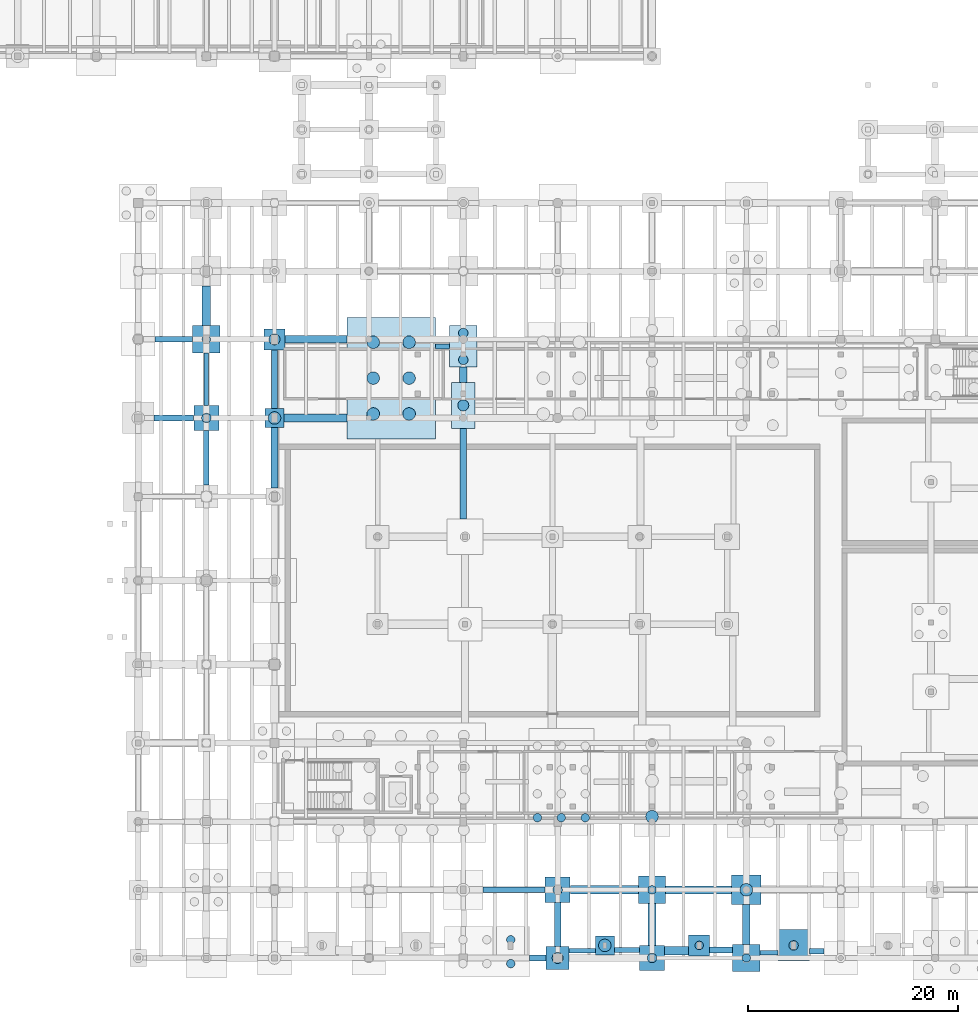
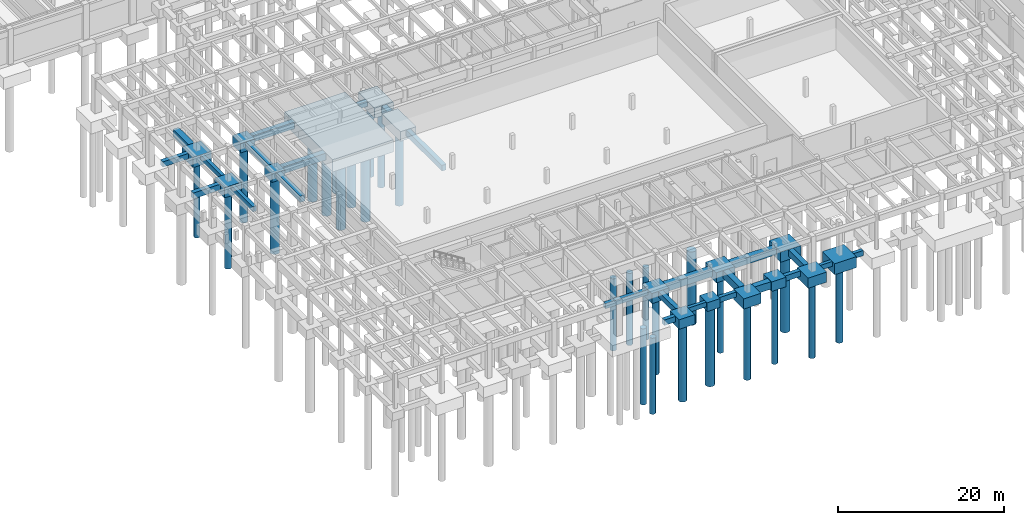
# One storey, part 3 of 36: 41 footings, 28 piles.
"""IFC4 building model written with IfcOpenShell, lengths in metres."""

from ifc_helpers import new_model, si_unit, direction, frame, origin, origin_2d, place, context, subcontext, project, spatial, polyline, circle, outline, extrude, material, material_profile, profile_set, type_object, element, save


model = new_model("IFC4")

# Units and contexts
model_context = context("Model", 3, precision=1e-05, world=origin(), true_north=direction((0.0, 1.0)))
body_context = subcontext(model_context, "Body", "Model", "MODEL_VIEW")
ifc_project = project(units=[si_unit("LENGTHUNIT", "METRE"), si_unit("AREAUNIT", "SQUARE_METRE"), si_unit("VOLUMEUNIT", "CUBIC_METRE"), si_unit("PLANEANGLEUNIT", "RADIAN"), si_unit("MASSUNIT", "GRAM", prefix="KILO"), si_unit("THERMODYNAMICTEMPERATUREUNIT", "KELVIN"), si_unit("POWERUNIT", "WATT")], contexts=[model_context])

# Site, building, storey
site_placement = place(None, origin())
site = spatial("IfcSite", under=ifc_project, at=site_placement, CompositionType="ELEMENT")
building_placement = place(site_placement, origin())
building = spatial("IfcBuilding", under=site, at=building_placement, Name="Tepalcoro Natatorium and Aquatics Centre", CompositionType="ELEMENT")
storey_placement = place(building_placement, frame((0.0, 0.0, -5.199951171875)))
storey = spatial("IfcBuildingStorey", under=building, at=storey_placement, Name="B1", CompositionType="ELEMENT", Elevation=-5.199951171875)

# Footings
ifc_material = material(Name="Concrete C40/50 (fc 40 MPa)", Category="concrete")
footing_type_1 = type_object("IfcFootingType", Name="FB_450x700", PredefinedType="FOOTING_BEAM", material=ifc_material)
footing_1_placement = place(storey_placement, frame((0.0, 0.0, -0.699951171875)))
element("IfcFooting", 1, at=footing_1_placement, inside=storey, type_object=footing_type_1, Name="V1 B1 Foundation Tie Beam X", PredefinedType="FOOTING_BEAM", context=body_context, shape_type="SweptSolid", body=[
    extrude(outline(polyline([(81.10498046875, 0.47509765625), (83.594970703125, 0.47509765625), (83.594970703125, 0.925048828125), (81.10498046875, 0.925048828125), (81.10498046875, 0.47509765625)])), origin(), (0.0, 0.0, 1.0), 0.699951171875),
])
footing_2_placement = place(storey_placement, frame((0.0, 0.0, -0.699951171875)))
element("IfcFooting", 2, at=footing_2_placement, inside=storey, type_object=footing_type_1, Name="V1 B1 Foundation Tie Beam X", PredefinedType="FOOTING_BEAM", context=body_context, shape_type="SweptSolid", body=[
    extrude(outline(polyline([(99.304931640625, 0.27490234375), (100.9951171875, 0.27490234375), (100.9951171875, 0.72509765625), (99.304931640625, 0.72509765625), (99.304931640625, 0.27490234375)])), origin(), (0.0, 0.0, 1.0), 0.699951171875),
])
footing_3_placement = place(storey_placement, frame((0.0, 0.0, -0.699951171875)))
element("IfcFooting", 3, at=footing_3_placement, inside=storey, type_object=footing_type_1, Name="V1 B1 Foundation Tie Beam Y", PredefinedType="FOOTING_BEAM", context=body_context, shape_type="SweptSolid", body=[
    extrude(outline(polyline([(46.72509765625, 52.705078125), (46.72509765625, 57.695068359375), (46.27490234375, 57.695068359375), (46.27490234375, 52.705078125), (46.72509765625, 52.705078125)])), origin(), (0.0, 0.0, 1.0), 0.699951171875),
])
footing_type_2 = type_object("IfcFootingType", Name="FB_500x750", PredefinedType="FOOTING_BEAM", material=ifc_material)
footing_4_placement = place(storey_placement, frame((0.0, 0.0, -1.25)))
element("IfcFooting", 4, at=footing_4_placement, inside=storey, type_object=footing_type_2, Name="V1 B1 Foundation Tie Beam X", PredefinedType="FOOTING_BEAM", context=body_context, shape_type="SweptSolid", body=[
    extrude(outline(polyline([(68.35498046875, 58.074951171875), (69.695068359375, 58.074951171875), (69.695068359375, 58.574951171875), (68.35498046875, 58.574951171875), (68.35498046875, 58.074951171875)])), origin(), (0.0, 0.0, 1.0), 0.75),
])
footing_5_placement = place(storey_placement, frame((0.0, 0.0, -0.75)))
element("IfcFooting", 5, at=footing_5_placement, inside=storey, type_object=footing_type_2, Name="V1 B1 Foundation Tie Beam X", PredefinedType="FOOTING_BEAM", context=body_context, shape_type="SweptSolid", body=[
    extrude(outline(polyline([(72.905029296875, 6.25), (78.794921875, 6.25), (78.794921875, 6.75), (72.905029296875, 6.75), (72.905029296875, 6.25)])), origin(), (0.0, 0.0, 1.0), 0.75),
])
footing_6_placement = place(storey_placement, frame((0.0, 0.0, -0.75)))
element("IfcFooting", 6, at=footing_6_placement, inside=storey, type_object=footing_type_2, Name="V1 B1 Foundation Tie Beam X", PredefinedType="FOOTING_BEAM", context=body_context, shape_type="SweptSolid", body=[
    extrude(outline(polyline([(85.405029296875, 0.5), (87.794921875, 0.5), (87.794921875, 1.0), (85.405029296875, 1.0), (85.405029296875, 0.5)])), origin(), (0.0, 0.0, 1.0), 0.75),
])
footing_7_placement = place(storey_placement, frame((0.0, 0.0, -0.75)))
element("IfcFooting", 7, at=footing_7_placement, inside=storey, type_object=footing_type_2, Name="V1 B1 Foundation Tie Beam X", PredefinedType="FOOTING_BEAM", context=body_context, shape_type="SweptSolid", body=[
    extrude(outline(polyline([(104.0048828125, 0.39990234375), (105.39501953125, 0.39990234375), (105.39501953125, 0.89990234375), (104.0048828125, 0.89990234375), (104.0048828125, 0.39990234375)])), origin(), (0.0, 0.0, 1.0), 0.75),
])
footing_8_placement = place(storey_placement, frame((0.0, 0.0, -0.75)))
element("IfcFooting", 8, at=footing_8_placement, inside=storey, type_object=footing_type_2, Name="V1 B1 Foundation Tie Beam Y", PredefinedType="FOOTING_BEAM", context=body_context, shape_type="SweptSolid", body=[
    extrude(outline(polyline([(46.75, 45.10498046875), (46.75, 50.294921875), (46.25, 50.294921875), (46.25, 45.10498046875), (46.75, 45.10498046875)])), origin(), (0.0, 0.0, 1.0), 0.75),
])
footing_type_3 = type_object("IfcFootingType", Name="FB_550x800", PredefinedType="FOOTING_BEAM", material=ifc_material)
footing_9_placement = place(storey_placement, frame((0.0, 0.0, -0.800048828125)))
element("IfcFooting", 9, at=footing_9_placement, inside=storey, type_object=footing_type_3, Name="V1 B1 Foundation Tie Beam X", PredefinedType="FOOTING_BEAM", context=body_context, shape_type="SweptSolid", body=[
    extrude(outline(polyline([(41.60498046875, 58.72509765625), (45.195068359375, 58.72509765625), (45.195068359375, 59.27490234375), (41.60498046875, 59.27490234375), (41.60498046875, 58.72509765625)])), origin(), (0.0, 0.0, 1.0), 0.800048828125),
])
footing_10_placement = place(storey_placement, frame((0.0, 0.0, -0.800048828125)))
element("IfcFooting", 10, at=footing_10_placement, inside=storey, type_object=footing_type_3, Name="V1 B1 Foundation Tie Beam X", PredefinedType="FOOTING_BEAM", context=body_context, shape_type="SweptSolid", body=[
    extrude(outline(polyline([(77.304931640625, -0.27490234375), (78.89501953125, -0.27490234375), (78.89501953125, 0.27490234375), (77.304931640625, 0.27490234375), (77.304931640625, -0.27490234375)])), origin(), (0.0, 0.0, 1.0), 0.800048828125),
])
footing_11_placement = place(storey_placement, frame((0.0, 0.0, -0.800048828125)))
element("IfcFooting", 11, at=footing_11_placement, inside=storey, type_object=footing_type_3, Name="V1 B1 Foundation Tie Beam X", PredefinedType="FOOTING_BEAM", context=body_context, shape_type="SweptSolid", body=[
    extrude(outline(polyline([(94.5048828125, 0.47509765625), (96.695068359375, 0.47509765625), (96.695068359375, 1.02490234375), (94.5048828125, 1.02490234375), (94.5048828125, 0.47509765625)])), origin(), (0.0, 0.0, 1.0), 0.800048828125),
])
footing_type_4 = type_object("IfcFootingType", Name="FB_600x850", PredefinedType="FOOTING_BEAM", material=ifc_material)
footing_12_placement = place(storey_placement, frame((0.0, 0.0, -0.85009765625)))
element("IfcFooting", 12, at=footing_12_placement, inside=storey, type_object=footing_type_4, Name="V1 B1 Foundation Tie Beam X", PredefinedType="FOOTING_BEAM", context=body_context, shape_type="SweptSolid", body=[
    extrude(outline(polyline([(41.5048828125, 51.199951171875), (45.294921875, 51.199951171875), (45.294921875, 51.800048828125), (41.5048828125, 51.800048828125), (41.5048828125, 51.199951171875)])), origin(), (0.0, 0.0, 1.0), 0.85009765625),
])
footing_13_placement = place(storey_placement, frame((0.0, 0.0, -1.35009765625)))
element("IfcFooting", 13, at=footing_13_placement, inside=storey, type_object=footing_type_4, Name="V1 B1 Foundation Tie Beam Y", PredefinedType="FOOTING_BEAM", context=body_context, shape_type="SweptSolid", body=[
    extrude(outline(polyline([(53.300048828125, 52.405029296875), (53.300048828125, 57.9951171875), (52.699951171875, 57.9951171875), (52.699951171875, 52.405029296875), (53.300048828125, 52.405029296875)])), origin(), (0.0, 0.0, 1.0), 0.85009765625),
])
footing_14_placement = place(storey_placement, frame((0.0, 0.0, -1.35009765625)))
element("IfcFooting", 14, at=footing_14_placement, inside=storey, type_object=footing_type_4, Name="V1 B1 Foundation Tie Beam Y", PredefinedType="FOOTING_BEAM", context=body_context, shape_type="SweptSolid", body=[
    extrude(outline(polyline([(71.300048828125, 41.8720703125), (71.300048828125, 50.4951171875), (70.699951171875, 50.4951171875), (70.699951171875, 41.8720703125), (71.300048828125, 41.8720703125)])), origin(), (0.0, 0.0, 1.0), 0.85009765625),
])
footing_15_placement = place(storey_placement, frame((0.0, 0.0, -0.85009765625)))
element("IfcFooting", 15, at=footing_15_placement, inside=storey, type_object=footing_type_4, Name="V1 B1 Foundation Tie Beam Y", PredefinedType="FOOTING_BEAM", context=body_context, shape_type="SweptSolid", body=[
    extrude(outline(polyline([(80.300048828125, 1.10498046875), (80.300048828125, 5.294921875), (79.699951171875, 5.294921875), (79.699951171875, 1.10498046875), (80.300048828125, 1.10498046875)])), origin(), (0.0, 0.0, 1.0), 0.85009765625),
])
footing_type_5 = type_object("IfcFootingType", Name="FB_650x900", PredefinedType="FOOTING_BEAM", material=ifc_material)
footing_16_placement = place(storey_placement, frame((0.0, 0.0, -1.400146484375)))
element("IfcFooting", 16, at=footing_16_placement, inside=storey, type_object=footing_type_5, Name="V1 B1 Foundation Tie Beam Y", PredefinedType="FOOTING_BEAM", context=body_context, shape_type="SweptSolid", body=[
    extrude(outline(polyline([(53.324951171875, 44.804931640625), (53.324951171875, 50.594970703125), (52.675048828125, 50.594970703125), (52.675048828125, 44.804931640625), (53.324951171875, 44.804931640625)])), origin(), (0.0, 0.0, 1.0), 0.900146484375),
])
footing_type_6 = type_object("IfcFootingType", Name="FB_700x950", PredefinedType="FOOTING_BEAM", material=ifc_material)
footing_17_placement = place(storey_placement, frame((0.0, 0.0, -1.449951171875)))
element("IfcFooting", 17, at=footing_17_placement, inside=storey, type_object=footing_type_6, Name="V1 B1 Foundation Tie Beam X", PredefinedType="FOOTING_BEAM", context=body_context, shape_type="SweptSolid", body=[
    extrude(outline(polyline([(54.0048828125, 58.64990234375), (59.89501953125, 58.64990234375), (59.89501953125, 59.35009765625), (54.0048828125, 59.35009765625), (54.0048828125, 58.64990234375)])), origin(), (0.0, 0.0, 1.0), 0.949951171875),
])
footing_18_placement = place(storey_placement, frame((0.0, 0.0, -0.949951171875)))
element("IfcFooting", 18, at=footing_18_placement, inside=storey, type_object=footing_type_6, Name="V1 B1 Foundation Tie Beam Y", PredefinedType="FOOTING_BEAM", context=body_context, shape_type="SweptSolid", body=[
    extrude(outline(polyline([(98.35009765625, 1.304931640625), (98.35009765625, 5.094970703125), (97.64990234375, 5.094970703125), (97.64990234375, 1.304931640625), (98.35009765625, 1.304931640625)])), origin(), (0.0, 0.0, 1.0), 0.949951171875),
])
footing_type_7 = type_object("IfcFootingType", Name="FB_750x1000", PredefinedType="FOOTING_BEAM", material=ifc_material)
footing_19_placement = place(storey_placement, frame((0.0, 0.0, -1.5)))
element("IfcFooting", 19, at=footing_19_placement, inside=storey, type_object=footing_type_7, Name="V1 B1 Foundation Tie Beam X", PredefinedType="FOOTING_BEAM", context=body_context, shape_type="SweptSolid", body=[
    extrude(outline(polyline([(53.905029296875, 51.125), (59.89501953125, 51.125), (59.89501953125, 51.875), (53.905029296875, 51.875), (53.905029296875, 51.125)])), origin(), (0.0, 0.0, 1.0), 1.0),
])
footing_20_placement = place(storey_placement, frame((0.0, 0.0, -1.0)))
element("IfcFooting", 20, at=footing_20_placement, inside=storey, type_object=footing_type_7, Name="V1 B1 Foundation Tie Beam X", PredefinedType="FOOTING_BEAM", context=body_context, shape_type="SweptSolid", body=[
    extrude(outline(polyline([(90.304931640625, 6.125), (96.594970703125, 6.125), (96.594970703125, 6.875), (90.304931640625, 6.875), (90.304931640625, 6.125)])), origin(), (0.0, 0.0, 1.0), 1.0),
])
footing_21_placement = place(storey_placement, frame((0.0, 0.0, -1.5)))
element("IfcFooting", 21, at=footing_21_placement, inside=storey, type_object=footing_type_7, Name="V1 B1 Foundation Tie Beam Y", PredefinedType="FOOTING_BEAM", context=body_context, shape_type="SweptSolid", body=[
    extrude(outline(polyline([(71.375, 54.905029296875), (71.375, 56.344970703125), (70.625, 56.344970703125), (70.625, 54.905029296875), (71.375, 54.905029296875)])), origin(), (0.0, 0.0, 1.0), 1.0),
])
footing_type_8 = type_object("IfcFootingType", Name="FB_800x1100", PredefinedType="FOOTING_BEAM", material=ifc_material)
footing_22_placement = place(storey_placement, frame((0.0, 0.0, -1.10009765625)))
element("IfcFooting", 22, at=footing_22_placement, inside=storey, type_object=footing_type_8, Name="V1 B1 Foundation Tie Beam X", PredefinedType="FOOTING_BEAM", context=body_context, shape_type="SweptSolid", body=[
    extrude(outline(polyline([(81.205078125, 6.10009765625), (87.695068359375, 6.10009765625), (87.695068359375, 6.89990234375), (81.205078125, 6.89990234375), (81.205078125, 6.10009765625)])), origin(), (0.0, 0.0, 1.0), 1.10009765625),
])
footing_23_placement = place(storey_placement, frame((0.0, 0.0, -1.10009765625)))
element("IfcFooting", 23, at=footing_23_placement, inside=storey, type_object=footing_type_8, Name="V1 B1 Foundation Tie Beam X", PredefinedType="FOOTING_BEAM", context=body_context, shape_type="SweptSolid", body=[
    extrude(outline(polyline([(90.205078125, 0.300048828125), (92.4951171875, 0.300048828125), (92.4951171875, 1.10009765625), (90.205078125, 1.10009765625), (90.205078125, 0.300048828125)])), origin(), (0.0, 0.0, 1.0), 1.10009765625),
])
footing_24_placement = place(storey_placement, frame((0.0, 0.0, -1.10009765625)))
element("IfcFooting", 24, at=footing_24_placement, inside=storey, type_object=footing_type_8, Name="V1 B1 Foundation Tie Beam Y", PredefinedType="FOOTING_BEAM", context=body_context, shape_type="SweptSolid", body=[
    extrude(outline(polyline([(46.89990234375, 60.304931640625), (46.89990234375, 64.094970703125), (46.10009765625, 64.094970703125), (46.10009765625, 60.304931640625), (46.89990234375, 60.304931640625)])), origin(), (0.0, 0.0, 1.0), 1.10009765625),
])
footing_25_placement = place(storey_placement, frame((0.0, 0.0, -1.10009765625)))
element("IfcFooting", 25, at=footing_25_placement, inside=storey, type_object=footing_type_8, Name="V1 B1 Foundation Tie Beam Y", PredefinedType="FOOTING_BEAM", context=body_context, shape_type="SweptSolid", body=[
    extrude(outline(polyline([(89.39990234375, 1.205078125), (89.39990234375, 5.195068359375), (88.60009765625, 5.195068359375), (88.60009765625, 1.205078125), (89.39990234375, 1.205078125)])), origin(), (0.0, 0.0, 1.0), 1.10009765625),
])
footing_type_9 = type_object("IfcFootingType", Name="PC_1800x1800x1300", PredefinedType="PILE_CAP", material=ifc_material)
footing_26_placement = place(storey_placement, frame((0.0, 0.0, -1.800048828125)))
element("IfcFooting", 26, at=footing_26_placement, inside=storey, type_object=footing_type_9, Name="V1 Reinforced Concrete Pile Cap 32", PredefinedType="PILE_CAP", context=body_context, shape_type="SweptSolid", body=[
    extrude(outline(polyline([(52.10009765625, 50.60009765625), (53.89990234375, 50.60009765625), (53.89990234375, 52.39990234375), (52.10009765625, 52.39990234375), (52.10009765625, 50.60009765625)])), origin(), (0.0, 0.0, 1.0), 1.300048828125),
])
footing_27_placement = place(storey_placement, frame((0.0, 0.0, -1.300048828125)))
element("IfcFooting", 27, at=footing_27_placement, inside=storey, type_object=footing_type_9, Name="V1 Reinforced Concrete Pile Cap 60", PredefinedType="PILE_CAP", context=body_context, shape_type="SweptSolid", body=[
    extrude(outline(polyline([(83.60009765625, 0.300048828125), (85.39990234375, 0.300048828125), (85.39990234375, 2.10009765625), (83.60009765625, 2.10009765625), (83.60009765625, 0.300048828125)])), origin(), (0.0, 0.0, 1.0), 1.300048828125),
])
footing_type_10 = type_object("IfcFootingType", Name="PC_2000x2000x1400", PredefinedType="PILE_CAP", material=ifc_material)
footing_28_placement = place(storey_placement, frame((0.0, 0.0, -1.900146484375)))
element("IfcFooting", 28, at=footing_28_placement, inside=storey, type_object=footing_type_10, Name="V1 Reinforced Concrete Pile Cap 31", PredefinedType="PILE_CAP", context=body_context, shape_type="SweptSolid", body=[
    extrude(outline(polyline([(52.0, 58.0), (54.0, 58.0), (54.0, 60.0), (52.0, 60.0), (52.0, 58.0)])), origin(), (0.0, 0.0, 1.0), 1.400146484375),
])
footing_29_placement = place(storey_placement, frame((0.0, 0.0, -1.900146484375)))
element("IfcFooting", 29, at=footing_29_placement, inside=storey, type_object=footing_type_10, Name="V1 Reinforced Concrete Pile Cap 51", PredefinedType="PILE_CAP", context=body_context, shape_type="SweptSolid", body=[
    extrude(outline(polyline([(69.89990234375, 50.5), (72.10009765625, 50.5), (72.10009765625, 54.89990234375), (69.89990234375, 54.89990234375), (69.89990234375, 50.5)])), origin(), (0.0, 0.0, 1.0), 1.400146484375),
])
footing_30_placement = place(storey_placement, frame((0.0, 0.0, -1.400146484375)))
element("IfcFooting", 30, at=footing_30_placement, inside=storey, type_object=footing_type_10, Name="V1 Reinforced Concrete Pile Cap 69", PredefinedType="PILE_CAP", context=body_context, shape_type="SweptSolid", body=[
    extrude(outline(polyline([(92.5, 0.199951171875), (94.5, 0.199951171875), (94.5, 2.199951171875), (92.5, 2.199951171875), (92.5, 0.199951171875)])), origin(), (0.0, 0.0, 1.0), 1.400146484375),
])
footing_type_11 = type_object("IfcFootingType", Name="PC_2200x2200x1400", PredefinedType="PILE_CAP", material=ifc_material)
footing_31_placement = place(storey_placement, frame((0.0, 0.0, -1.400146484375)))
element("IfcFooting", 31, at=footing_31_placement, inside=storey, type_object=footing_type_11, Name="V1 Reinforced Concrete Pile Cap 59", PredefinedType="PILE_CAP", context=body_context, shape_type="SweptSolid", body=[
    extrude(outline(polyline([(78.89990234375, -1.10009765625), (81.10009765625, -1.10009765625), (81.10009765625, 1.10009765625), (78.89990234375, 1.10009765625), (78.89990234375, -1.10009765625)])), origin(), (0.0, 0.0, 1.0), 1.400146484375),
])
footing_type_12 = type_object("IfcFootingType", Name="PC_2400x2400x1500", PredefinedType="PILE_CAP", material=ifc_material)
footing_32_placement = place(storey_placement, frame((0.0, 0.0, -1.5)))
element("IfcFooting", 32, at=footing_32_placement, inside=storey, type_object=footing_type_12, Name="V1 Reinforced Concrete Pile Cap 18", PredefinedType="PILE_CAP", context=body_context, shape_type="SweptSolid", body=[
    extrude(outline(polyline([(45.300048828125, 50.300048828125), (47.699951171875, 50.300048828125), (47.699951171875, 52.699951171875), (45.300048828125, 52.699951171875), (45.300048828125, 50.300048828125)])), origin(), (0.0, 0.0, 1.0), 1.5),
])
footing_33_placement = place(storey_placement, frame((0.0, 0.0, -2.0)))
element("IfcFooting", 33, at=footing_33_placement, inside=storey, type_object=footing_type_12, Name="V1 Reinforced Concrete Pile Cap 50", PredefinedType="PILE_CAP", context=body_context, shape_type="SweptSolid", body=[
    extrude(outline(polyline([(69.699951171875, 56.35009765625), (72.300048828125, 56.35009765625), (72.300048828125, 60.300048828125), (69.699951171875, 60.300048828125), (69.699951171875, 56.35009765625)])), origin(), (0.0, 0.0, 1.0), 1.5),
])
footing_34_placement = place(storey_placement, frame((0.0, 0.0, -1.5)))
element("IfcFooting", 34, at=footing_34_placement, inside=storey, type_object=footing_type_12, Name="V1 Reinforced Concrete Pile Cap 58", PredefinedType="PILE_CAP", context=body_context, shape_type="SweptSolid", body=[
    extrude(outline(polyline([(78.800048828125, 5.300048828125), (81.199951171875, 5.300048828125), (81.199951171875, 7.699951171875), (78.800048828125, 7.699951171875), (78.800048828125, 5.300048828125)])), origin(), (0.0, 0.0, 1.0), 1.5),
])
footing_35_placement = place(storey_placement, frame((0.0, 0.0, -1.5)))
element("IfcFooting", 35, at=footing_35_placement, inside=storey, type_object=footing_type_12, Name="V1 Reinforced Concrete Pile Cap 66", PredefinedType="PILE_CAP", context=body_context, shape_type="SweptSolid", body=[
    extrude(outline(polyline([(87.800048828125, -1.199951171875), (90.199951171875, -1.199951171875), (90.199951171875, 1.199951171875), (87.800048828125, 1.199951171875), (87.800048828125, -1.199951171875)])), origin(), (0.0, 0.0, 1.0), 1.5),
])
footing_type_13 = type_object("IfcFootingType", Name="PC_2600x2600x1500", PredefinedType="PILE_CAP", material=ifc_material)
footing_36_placement = place(storey_placement, frame((0.0, 0.0, -1.5)))
element("IfcFooting", 36, at=footing_36_placement, inside=storey, type_object=footing_type_13, Name="V1 Reinforced Concrete Pile Cap 17", PredefinedType="PILE_CAP", context=body_context, shape_type="SweptSolid", body=[
    extrude(outline(polyline([(45.199951171875, 57.699951171875), (47.800048828125, 57.699951171875), (47.800048828125, 60.300048828125), (45.199951171875, 60.300048828125), (45.199951171875, 57.699951171875)])), origin(), (0.0, 0.0, 1.0), 1.5),
])
footing_37_placement = place(storey_placement, frame((0.0, 0.0, -1.5)))
element("IfcFooting", 37, at=footing_37_placement, inside=storey, type_object=footing_type_13, Name="V1 Reinforced Concrete Pile Cap 65", PredefinedType="PILE_CAP", context=body_context, shape_type="SweptSolid", body=[
    extrude(outline(polyline([(87.699951171875, 5.199951171875), (90.300048828125, 5.199951171875), (90.300048828125, 7.800048828125), (87.699951171875, 7.800048828125), (87.699951171875, 5.199951171875)])), origin(), (0.0, 0.0, 1.0), 1.5),
])
footing_38_placement = place(storey_placement, frame((0.0, 0.0, -1.5)))
element("IfcFooting", 38, at=footing_38_placement, inside=storey, type_object=footing_type_13, Name="V1 Reinforced Concrete Pile Cap 77", PredefinedType="PILE_CAP", context=body_context, shape_type="SweptSolid", body=[
    extrude(outline(polyline([(96.699951171875, -1.300048828125), (99.300048828125, -1.300048828125), (99.300048828125, 1.300048828125), (96.699951171875, 1.300048828125), (96.699951171875, -1.300048828125)])), origin(), (0.0, 0.0, 1.0), 1.5),
])
footing_type_14 = type_object("IfcFootingType", Name="PC_2800x2800x1500", PredefinedType="PILE_CAP", material=ifc_material)
footing_39_placement = place(storey_placement, frame((0.0, 0.0, -1.5)))
element("IfcFooting", 39, at=footing_39_placement, inside=storey, type_object=footing_type_14, Name="V1 Reinforced Concrete Pile Cap 76", PredefinedType="PILE_CAP", context=body_context, shape_type="SweptSolid", body=[
    extrude(outline(polyline([(96.60009765625, 5.10009765625), (99.39990234375, 5.10009765625), (99.39990234375, 7.89990234375), (96.60009765625, 7.89990234375), (96.60009765625, 5.10009765625)])), origin(), (0.0, 0.0, 1.0), 1.5),
])
footing_type_15 = type_object("IfcFootingType", Name="PC_3000x3000x1600", PredefinedType="PILE_CAP", material=ifc_material)
footing_40_placement = place(storey_placement, frame((0.0, 0.0, -1.60009765625)))
element("IfcFooting", 40, at=footing_40_placement, inside=storey, type_object=footing_type_15, Name="V1 Reinforced Concrete Pile Cap 78", PredefinedType="PILE_CAP", context=body_context, shape_type="SweptSolid", body=[
    extrude(outline(polyline([(101.0, -0.300048828125), (104.0, -0.300048828125), (104.0, 2.699951171875), (101.0, 2.699951171875), (101.0, -0.300048828125)])), origin(), (0.0, 0.0, 1.0), 1.60009765625),
])
footing_type_16 = type_object("IfcFootingType", Name="PC_4000x4000x1800", PredefinedType="PILE_CAP", material=ifc_material)
footing_41_placement = place(storey_placement, frame((0.0, 0.0, -2.300048828125)))
element("IfcFooting", 41, at=footing_41_placement, inside=storey, type_object=footing_type_16, Name="V1 Reinforced Concrete Pile Cap 36", PredefinedType="PILE_CAP", context=body_context, shape_type="SweptSolid", body=[
    extrude(outline(polyline([(59.89990234375, 49.5), (68.35009765625, 49.5), (68.35009765625, 61.10009765625), (59.89990234375, 61.10009765625), (59.89990234375, 49.5)])), origin(), (0.0, 0.0, 1.0), 1.800048828125),
])

# Piles
ifc_material_profile_1 = material_profile(ifc_material, circle(Radius=0.52490234375, at=origin_2d()), Name="PILE_D1050")
ifc_profile_set_1 = profile_set([ifc_material_profile_1], Name="Concrete C40/50 (fc 40 MPa)")
pile_type_1 = type_object("IfcPileType", Name="PILE_D1050", PredefinedType="BORED", material=ifc_profile_set_1)
for number, where, z_axis, x_axis, name in (
    (42, (53.0, 59.0, -1.800048828125), (0.0, 0.0, -1.0), (1.0, 0.0, 0.0), "Bored Pile PILE_D1050 under PC_V1_0030"),
    (43, (71.0, 52.699951171875, -1.800048828125), (0.0, 0.0, -1.0), (1.0, 0.0, 0.0), "Bored Pile PILE_D1050 under PC_V1_0050"),
):
    element("IfcPile", number, at=place(storey_placement, frame(where, z_axis=z_axis, x_axis=x_axis)), inside=storey, type_object=pile_type_1, Name=name, PredefinedType="BORED", context=body_context, shape_type="SweptSolid", body=[
        extrude(circle(Radius=0.52490234375, at=origin_2d()), origin(), (0.0, 0.0, 1.0), 11.0),
    ])
pile_1_placement = place(storey_placement, frame((80.0, 0.0, -1.300048828125), z_axis=(0.0, 0.0, -1.0), x_axis=(1.0, 0.0, 0.0)))
element("IfcPile", 44, at=pile_1_placement, inside=storey, type_object=pile_type_1, Name="Bored Pile PILE_D1050 under PC_V1_0058", PredefinedType="BORED", context=body_context, shape_type="SweptSolid", body=[
    extrude(circle(Radius=0.52490234375, at=origin_2d()), origin(), (0.0, 0.0, 1.0), 11.5),
])
ifc_material_profile_2 = material_profile(ifc_material, circle(Radius=0.60009765625, at=origin_2d()), Name="PILE_D1200")
ifc_profile_set_2 = profile_set([ifc_material_profile_2], Name="Concrete C40/50 (fc 40 MPa)")
pile_type_2 = type_object("IfcPileType", Name="PILE_D1200", PredefinedType="BORED", material=ifc_profile_set_2)
pile_2_placement = place(storey_placement, frame((53.0, 51.5, -1.699951171875), z_axis=(0.0, 0.0, -1.0), x_axis=(1.0, 0.0, 0.0)))
element("IfcPile", 45, at=pile_2_placement, inside=storey, type_object=pile_type_2, Name="Bored Pile PILE_D1200 under PC_V1_0031", PredefinedType="BORED", context=body_context, shape_type="SweptSolid", body=[
    extrude(circle(Radius=0.60009765625, at=origin_2d()), origin(), (0.0, 0.0, 1.0), 11.10009765625),
])
for number, where, z_axis, x_axis, name in (
    (46, (62.4150390625, 51.8798828125, -2.199951171875), (0.0, 0.0, -1.0), (1.0, 0.0, 0.0), "Bored Pile PILE_D1200 under PC_V1_0035"),
    (47, (62.4150390625, 55.300048828125, -2.199951171875), (0.0, 0.0, -1.0), (1.0, 0.0, 0.0), "Bored Pile PILE_D1200 under PC_V1_0035"),
    (48, (62.4150390625, 58.719970703125, -2.199951171875), (0.0, 0.0, -1.0), (1.0, 0.0, 0.0), "Bored Pile PILE_D1200 under PC_V1_0035"),
    (49, (65.8349609375, 51.8798828125, -2.199951171875), (0.0, 0.0, -1.0), (1.0, 0.0, 0.0), "Bored Pile PILE_D1200 under PC_V1_0035"),
    (50, (65.8349609375, 55.300048828125, -2.199951171875), (0.0, 0.0, -1.0), (1.0, 0.0, 0.0), "Bored Pile PILE_D1200 under PC_V1_0035"),
    (51, (65.8349609375, 58.719970703125, -2.199951171875), (0.0, 0.0, -1.0), (1.0, 0.0, 0.0), "Bored Pile PILE_D1200 under PC_V1_0035"),
):
    element("IfcPile", number, at=place(storey_placement, frame(where, z_axis=z_axis, x_axis=x_axis)), inside=storey, type_object=pile_type_2, Name=name, PredefinedType="BORED", context=body_context, shape_type="SweptSolid", body=[
        extrude(circle(Radius=0.60009765625, at=origin_2d()), origin(), (0.0, 0.0, 1.0), 10.60009765625),
    ])
pile_3_placement = place(storey_placement, frame((84.5, 1.199951171875, -1.199951171875), z_axis=(0.0, 0.0, -1.0), x_axis=(1.0, 0.0, 0.0)))
element("IfcPile", 52, at=pile_3_placement, inside=storey, type_object=pile_type_2, Name="Bored Pile PILE_D1200 under PC_V1_0059", PredefinedType="BORED", context=body_context, shape_type="SweptSolid", body=[
    extrude(circle(Radius=0.60009765625, at=origin_2d()), origin(), (0.0, 0.0, 1.0), 11.60009765625),
])
pile_4_placement = place(storey_placement, frame((89.0, 13.47998046875, -2.0), z_axis=(0.0, 0.0, -1.0), x_axis=(1.0, 0.0, 0.0)))
element("IfcPile", 53, at=pile_4_placement, inside=storey, type_object=pile_type_2, Name="Bored Pile PILE_D1200 under PC_V1_0063", PredefinedType="BORED", context=body_context, shape_type="SweptSolid", body=[
    extrude(circle(Radius=0.60009765625, at=origin_2d()), origin(), (0.0, 0.0, 1.0), 10.800048828125),
])
pile_5_placement = place(storey_placement, frame((98.0, 6.5, -1.400146484375), z_axis=(0.0, 0.0, -1.0), x_axis=(1.0, 0.0, 0.0)))
element("IfcPile", 54, at=pile_5_placement, inside=storey, type_object=pile_type_2, Name="Bored Pile PILE_D1200 under PC_V1_0075", PredefinedType="BORED", context=body_context, shape_type="SweptSolid", body=[
    extrude(circle(Radius=0.60009765625, at=origin_2d()), origin(), (0.0, 0.0, 1.0), 11.39990234375),
])
ifc_material_profile_3 = material_profile(ifc_material, circle(Radius=0.39990234375, at=origin_2d()), Name="PILE_D800")
ifc_profile_set_3 = profile_set([ifc_material_profile_3], Name="Concrete C40/50 (fc 40 MPa)")
pile_type_3 = type_object("IfcPileType", Name="PILE_D800", PredefinedType="BORED", material=ifc_profile_set_3)
pile_6_placement = place(storey_placement, frame((46.5, 59.0, -1.400146484375), z_axis=(0.0, 0.0, -1.0), x_axis=(1.0, 0.0, 0.0)))
element("IfcPile", 55, at=pile_6_placement, inside=storey, type_object=pile_type_3, Name="Bored Pile PILE_D800 under PC_V1_0016", PredefinedType="BORED", context=body_context, shape_type="SweptSolid", body=[
    extrude(circle(Radius=0.39990234375, at=origin_2d()), origin(), (0.0, 0.0, 1.0), 11.39990234375),
])
for number, where, z_axis, x_axis, name in (
    (56, (75.530029296875, -0.5400390625, -1.60009765625), (0.0, 0.0, -1.0), (1.0, 0.0, 0.0), "Bored Pile PILE_D800 under PC_V1_0044"),
    (57, (75.530029296875, 1.739990234375, -1.60009765625), (0.0, 0.0, -1.0), (1.0, 0.0, 0.0), "Bored Pile PILE_D800 under PC_V1_0044"),
):
    element("IfcPile", number, at=place(storey_placement, frame(where, z_axis=z_axis, x_axis=x_axis)), inside=storey, type_object=pile_type_3, Name=name, PredefinedType="BORED", context=body_context, shape_type="SweptSolid", body=[
        extrude(circle(Radius=0.39990234375, at=origin_2d()), origin(), (0.0, 0.0, 1.0), 11.199951171875),
    ])
for number, where, z_axis, x_axis, name in (
    (58, (78.070068359375, 13.3798828125, -2.199951171875), (0.0, 0.0, -1.0), (1.0, 0.0, 0.0), "Bored Pile PILE_D800 under PC_V1_0052"),
    (59, (80.35009765625, 13.3798828125, -2.199951171875), (0.0, 0.0, -1.0), (1.0, 0.0, 0.0), "Bored Pile PILE_D800 under PC_V1_0052"),
    (60, (82.6298828125, 13.3798828125, -2.199951171875), (0.0, 0.0, -1.0), (1.0, 0.0, 0.0), "Bored Pile PILE_D800 under PC_V1_0052"),
):
    element("IfcPile", number, at=place(storey_placement, frame(where, z_axis=z_axis, x_axis=x_axis)), inside=storey, type_object=pile_type_3, Name=name, PredefinedType="BORED", context=body_context, shape_type="SweptSolid", body=[
        extrude(circle(Radius=0.39990234375, at=origin_2d()), origin(), (0.0, 0.0, 1.0), 10.60009765625),
    ])
pile_7_placement = place(storey_placement, frame((89.0, 6.5, -1.400146484375), z_axis=(0.0, 0.0, -1.0), x_axis=(1.0, 0.0, 0.0)))
element("IfcPile", 61, at=pile_7_placement, inside=storey, type_object=pile_type_3, Name="Bored Pile PILE_D800 under PC_V1_0064", PredefinedType="BORED", context=body_context, shape_type="SweptSolid", body=[
    extrude(circle(Radius=0.39990234375, at=origin_2d()), origin(), (0.0, 0.0, 1.0), 11.39990234375),
])
pile_8_placement = place(storey_placement, frame((93.5, 1.199951171875, -1.300048828125), z_axis=(0.0, 0.0, -1.0), x_axis=(1.0, 0.0, 0.0)))
element("IfcPile", 62, at=pile_8_placement, inside=storey, type_object=pile_type_3, Name="Bored Pile PILE_D800 under PC_V1_0068", PredefinedType="BORED", context=body_context, shape_type="SweptSolid", body=[
    extrude(circle(Radius=0.39990234375, at=origin_2d()), origin(), (0.0, 0.0, 1.0), 11.5),
])
pile_9_placement = place(storey_placement, frame((98.0, 0.0, -1.400146484375), z_axis=(0.0, 0.0, -1.0), x_axis=(1.0, 0.0, 0.0)))
element("IfcPile", 63, at=pile_9_placement, inside=storey, type_object=pile_type_3, Name="Bored Pile PILE_D800 under PC_V1_0076", PredefinedType="BORED", context=body_context, shape_type="SweptSolid", body=[
    extrude(circle(Radius=0.39990234375, at=origin_2d()), origin(), (0.0, 0.0, 1.0), 11.39990234375),
])
ifc_material_profile_4 = material_profile(ifc_material, circle(Radius=0.449951171875, at=origin_2d()), Name="PILE_D900")
ifc_profile_set_4 = profile_set([ifc_material_profile_4], Name="Concrete C40/50 (fc 40 MPa)")
pile_type_4 = type_object("IfcPileType", Name="PILE_D900", PredefinedType="BORED", material=ifc_profile_set_4)
pile_10_placement = place(storey_placement, frame((46.5, 51.5, -1.400146484375), z_axis=(0.0, 0.0, -1.0), x_axis=(1.0, 0.0, 0.0)))
element("IfcPile", 64, at=pile_10_placement, inside=storey, type_object=pile_type_4, Name="Bored Pile PILE_D900 under PC_V1_0017", PredefinedType="BORED", context=body_context, shape_type="SweptSolid", body=[
    extrude(circle(Radius=0.449951171875, at=origin_2d()), origin(), (0.0, 0.0, 1.0), 11.39990234375),
])
for number, where, z_axis, x_axis, name in (
    (65, (71.0, 57.04248046875, -1.900146484375), (0.0, 0.0, -1.0), (1.0, 0.0, 0.0), "Bored Pile PILE_D900 under PC_V1_0049"),
    (66, (71.0, 59.607421875, -1.900146484375), (0.0, 0.0, -1.0), (1.0, 0.0, 0.0), "Bored Pile PILE_D900 under PC_V1_0049"),
):
    element("IfcPile", number, at=place(storey_placement, frame(where, z_axis=z_axis, x_axis=x_axis)), inside=storey, type_object=pile_type_4, Name=name, PredefinedType="BORED", context=body_context, shape_type="SweptSolid", body=[
        extrude(circle(Radius=0.449951171875, at=origin_2d()), origin(), (0.0, 0.0, 1.0), 10.89990234375),
    ])
for number, where, z_axis, x_axis, name in (
    (67, (80.0, 6.5, -1.400146484375), (0.0, 0.0, -1.0), (1.0, 0.0, 0.0), "Bored Pile PILE_D900 under PC_V1_0057"),
    (68, (89.0, 0.0, -1.400146484375), (0.0, 0.0, -1.0), (1.0, 0.0, 0.0), "Bored Pile PILE_D900 under PC_V1_0065"),
):
    element("IfcPile", number, at=place(storey_placement, frame(where, z_axis=z_axis, x_axis=x_axis)), inside=storey, type_object=pile_type_4, Name=name, PredefinedType="BORED", context=body_context, shape_type="SweptSolid", body=[
        extrude(circle(Radius=0.449951171875, at=origin_2d()), origin(), (0.0, 0.0, 1.0), 11.39990234375),
    ])
pile_11_placement = place(storey_placement, frame((102.5, 1.199951171875, -1.5), z_axis=(0.0, 0.0, -1.0), x_axis=(1.0, 0.0, 0.0)))
element("IfcPile", 69, at=pile_11_placement, inside=storey, type_object=pile_type_4, Name="Bored Pile PILE_D900 under PC_V1_0077", PredefinedType="BORED", context=body_context, shape_type="SweptSolid", body=[
    extrude(circle(Radius=0.449951171875, at=origin_2d()), origin(), (0.0, 0.0, 1.0), 11.300048828125),
])

save(model, "model.ifc")
